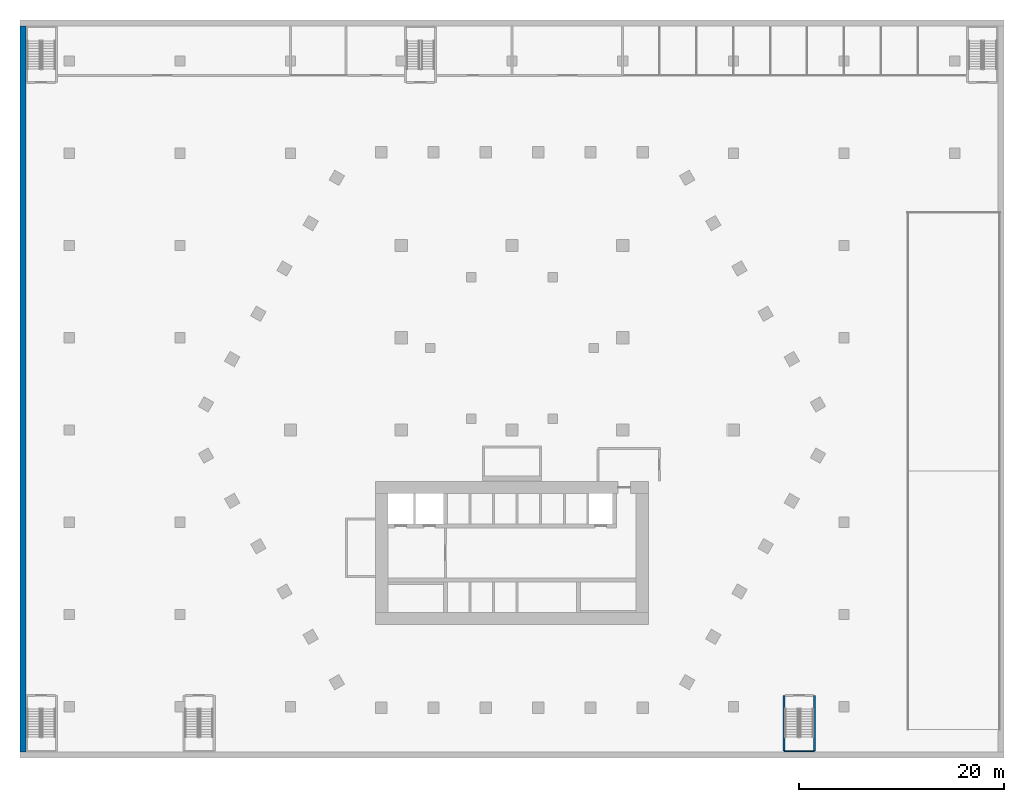
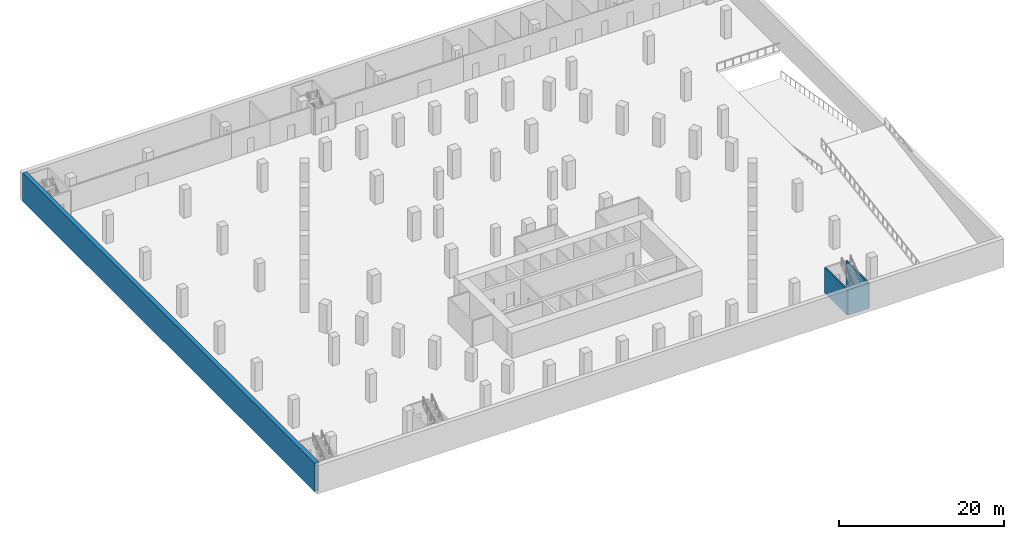
# One storey, part 6 of 20: 4 walls.
"""IFC4 building model written with IfcOpenShell, lengths in metres."""

from ifc_helpers import new_model, si_unit, direction, frame, frame_2d, origin, place, context, subcontext, project, spatial, rectangle, extrude, material, layer, layer_set, type_object, element, save


model = new_model("IFC4")

# Units and contexts
model_context = context("Model", 3, precision=1e-05, world=origin(), true_north=direction((0.0, 1.0)))
body_context = subcontext(model_context, "Body", "Model", "MODEL_VIEW")
ifc_project = project(units=[si_unit("LENGTHUNIT", "METRE"), si_unit("AREAUNIT", "SQUARE_METRE"), si_unit("VOLUMEUNIT", "CUBIC_METRE"), si_unit("PLANEANGLEUNIT", "RADIAN"), si_unit("MASSUNIT", "GRAM", prefix="KILO")], contexts=[model_context])

# Site, building, storey
site_placement = place(None, origin())
site = spatial("IfcSite", under=ifc_project, at=site_placement, CompositionType="ELEMENT")
building_placement = place(site_placement, origin())
building = spatial("IfcBuilding", under=site, at=building_placement, Name="Beryl Residences", CompositionType="ELEMENT")
storey_placement = place(building_placement, frame((0.0, 0.0, -4.199951171875)))
storey = spatial("IfcBuildingStorey", under=building, at=storey_placement, Name="B1", CompositionType="ELEMENT", Elevation=-4.199951171875)

# Walls
ifc_material_1 = material(Name="Concrete C40/50", Category="concrete")
ifc_layer_1 = layer(ifc_material_1, 0.199951171875)
ifc_layer_set_1 = layer_set([ifc_layer_1], Name="PT5 stair enclosure wall 200 mm reinforced concrete C40/50")
wall_type_1 = type_object("IfcWallType", Name="PT5 stair enclosure wall 200 mm reinforced concrete C40/50", PredefinedType="SOLIDWALL", material=ifc_layer_set_1)
for number, where, z_axis, x_axis, name in (
    (1, (26.550048828125, -31.300048828125, 0.0), (0.0, 0.0, 1.0), (0.0, 1.0, 0.0), "Wall PT5 B1 013"),
    (2, (29.5, -31.300048828125, 0.0), (0.0, 0.0, 1.0), (0.0, 1.0, 0.0), "Wall PT5 B1 014"),
):
    element("IfcWall", number, at=place(storey_placement, frame(where, z_axis=z_axis, x_axis=x_axis)), inside=storey, type_object=wall_type_1, Name=name, PredefinedType="SOLIDWALL", context=body_context, shape_type="SweptSolid", body=[
        extrude(rectangle(XDim=5.400146484375, YDim=0.199951171875, at=frame_2d((2.7001953125, 0.0))), origin(), (0.0, 0.0, 1.0), 3.75),
    ])
ifc_material_2 = material(Name="Concrete C40/50", Category="concrete")
ifc_layer_2 = layer(ifc_material_2, 0.10009765625)
ifc_layer_set_2 = layer_set([ifc_layer_2], Name="PT5-100 stair enclosure wall 100 mm")
wall_type_2 = type_object("IfcWallType", Name="PT5-100 stair enclosure wall 100 mm", PredefinedType="SOLIDWALL", material=ifc_layer_set_2)
wall_1_placement = place(storey_placement, frame((26.550048828125, -31.35009765625, 0.0), z_axis=(0.0, 0.0, 1.0), x_axis=(1.0, 0.0, 0.0)))
element("IfcWall", 3, at=wall_1_placement, inside=storey, type_object=wall_type_2, Name="Wall PT5-100 B1 009", PredefinedType="SOLIDWALL", context=body_context, shape_type="SweptSolid", body=[
    extrude(rectangle(XDim=2.949951171875, YDim=0.10009765625, at=frame_2d((1.47509765625, 0.0))), origin(), (0.0, 0.0, 1.0), 3.75),
])
ifc_material_3 = material(Name="Concrete C50/60", Category="concrete")
ifc_layer_3 = layer(ifc_material_3, 0.60009765625)
ifc_layer_set_3 = layer_set([ifc_layer_3], Name="RW1 basement wall 600 mm C50/60")
wall_type_3 = type_object("IfcWallType", Name="RW1 basement wall 600 mm C50/60", PredefinedType="SOLIDWALL", material=ifc_layer_set_3)
wall_2_placement = place(storey_placement, frame((-47.699951171875, -31.39990234375, 0.0), z_axis=(0.0, 0.0, 1.0), x_axis=(0.0, 1.0, 0.0)))
element("IfcWall", 4, at=wall_2_placement, inside=storey, type_object=wall_type_3, Name="RW1 B1 W", PredefinedType="SOLIDWALL", context=body_context, shape_type="SweptSolid", body=[
    extrude(rectangle(XDim=70.7998046875, YDim=0.60009765625, at=frame_2d((35.39990234375, 0.0))), origin(), (0.0, 0.0, 1.0), 4.199951171875),
])

save(model, "model.ifc")
